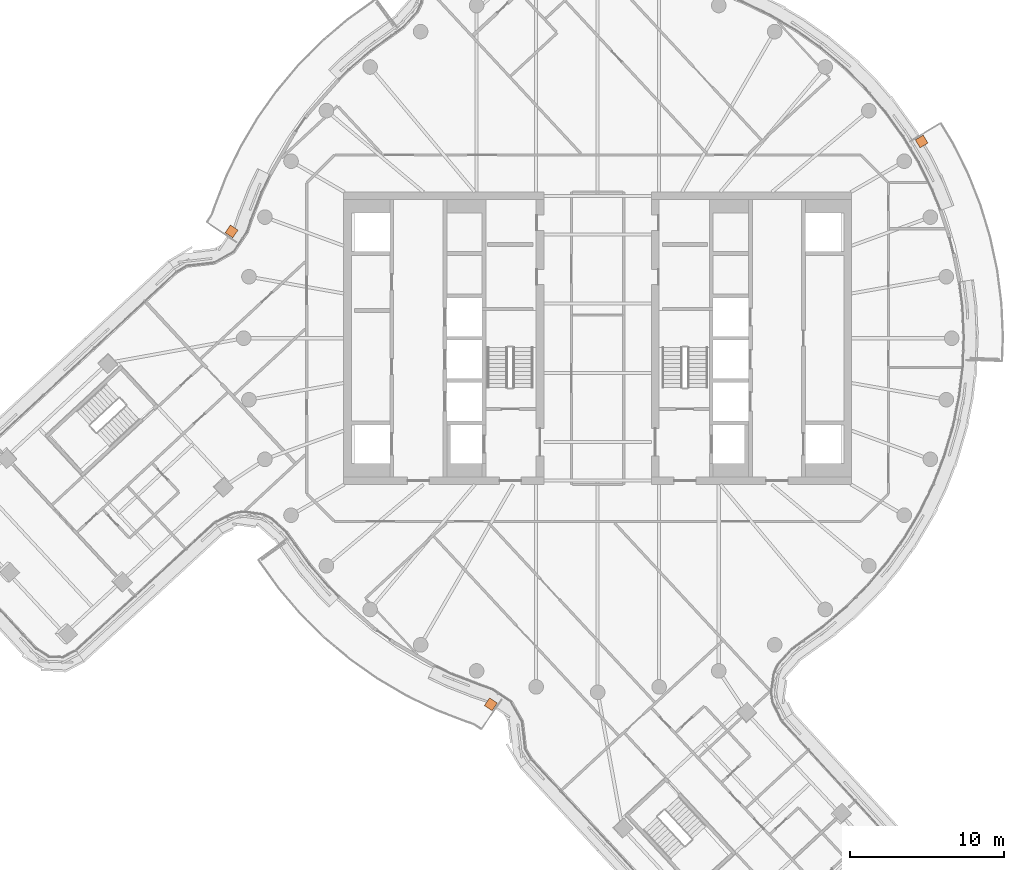
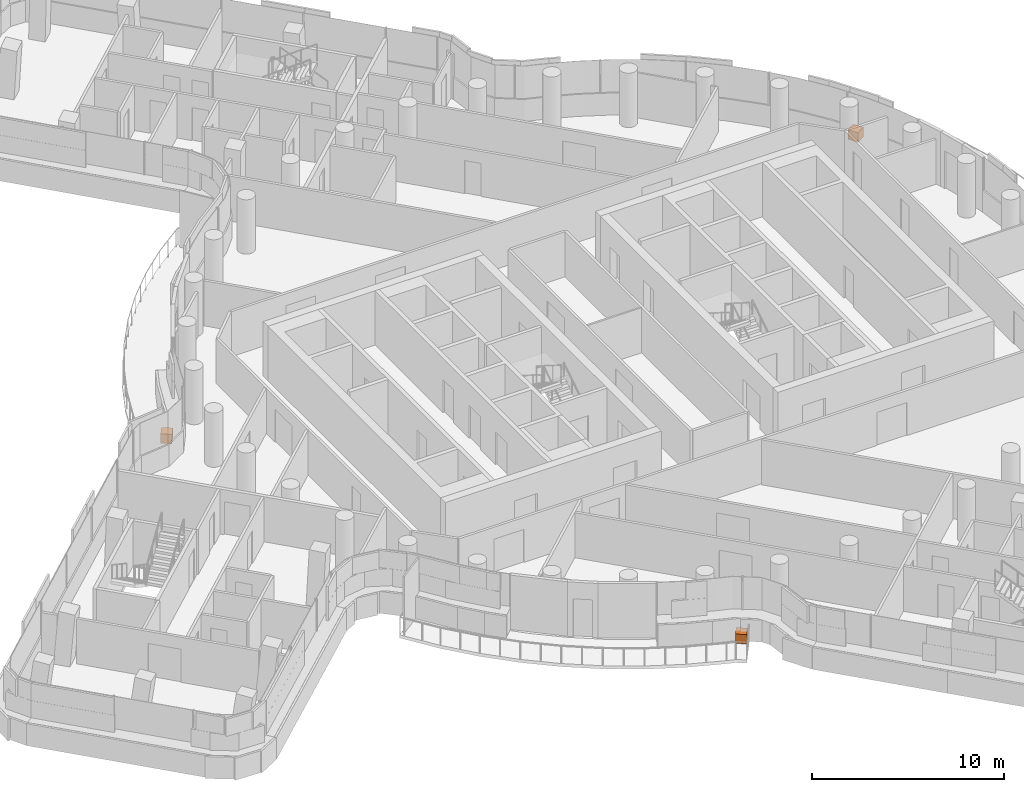
# One storey, part 34 of 34: 3 proxies.
"""IFC4 building model written with IfcOpenShell, lengths in metres."""

from ifc_helpers import new_model, si_unit, direction, frame, origin, origin_2d, place, context, subcontext, project, spatial, rectangle, extrude, material, type_object, element, save


model = new_model("IFC4")

# Units and contexts
model_context = context("Model", 3, precision=1e-05, world=origin(), true_north=direction((0.0, 1.0)))
body_context = subcontext(model_context, "Body", "Model", "MODEL_VIEW")
ifc_project = project(units=[si_unit("LENGTHUNIT", "METRE"), si_unit("AREAUNIT", "SQUARE_METRE"), si_unit("VOLUMEUNIT", "CUBIC_METRE"), si_unit("PLANEANGLEUNIT", "RADIAN"), si_unit("MASSUNIT", "GRAM", prefix="KILO")], contexts=[model_context])

# Site, building, storey
site_placement = place(None, origin())
site = spatial("IfcSite", under=ifc_project, at=site_placement, CompositionType="ELEMENT")
building_placement = place(site_placement, origin())
building = spatial("IfcBuilding", under=site, at=building_placement, Name="Tamarind Cross Interchange Tower", CompositionType="ELEMENT")
storey_placement = place(building_placement, frame((0.0, 0.0, 189.699951171875)))
storey = spatial("IfcBuildingStorey", under=building, at=storey_placement, Name="L47", CompositionType="ELEMENT", Elevation=189.699951171875)

# Proxies
ifc_material = material(Name="Concrete C30", Category="concrete")
building_element_proxy_type = type_object("IfcBuildingElementProxyType", Name="Planter", PredefinedType="USERDEFINED", material=ifc_material)
proxy_1_placement = place(storey_placement, origin())
element("IfcBuildingElementProxy", 1, at=proxy_1_placement, inside=storey, type_object=building_element_proxy_type, Name="PLT-L47-BAL02", ObjectType="Planter", PredefinedType="USERDEFINED", context=body_context, shape_type="SweptSolid", body=[
    extrude(rectangle(XDim=0.60009765625, YDim=0.60009765625, at=origin_2d()), frame((21.048095703125, 12.782958984375, 0.0), z_axis=(0.0, 0.0, 1.0), x_axis=(-0.515577308909, 0.856843065292, 0.0)), (0.0, 0.0, 1.0), 0.60009765625),
])
proxy_2_placement = place(storey_placement, origin())
element("IfcBuildingElementProxy", 2, at=proxy_2_placement, inside=storey, type_object=building_element_proxy_type, Name="PLT-L47-BAL06", ObjectType="Planter", PredefinedType="USERDEFINED", context=body_context, shape_type="SweptSolid", body=[
    extrude(rectangle(XDim=0.60009765625, YDim=0.60009765625, at=origin_2d()), frame((-23.78369140625, 6.935546875, 0.0), z_axis=(0.0, 0.0, 1.0), x_axis=(-0.556323551983, -0.830965766749, 0.0)), (0.0, 0.0, 1.0), 0.60009765625),
])
proxy_3_placement = place(storey_placement, origin())
element("IfcBuildingElementProxy", 3, at=proxy_3_placement, inside=storey, type_object=building_element_proxy_type, Name="PLT-L47-BAL10", ObjectType="Planter", PredefinedType="USERDEFINED", context=body_context, shape_type="SweptSolid", body=[
    extrude(rectangle(XDim=0.60009765625, YDim=0.60009765625, at=origin_2d()), frame((-6.935546875, -23.78369140625, 0.0), z_axis=(0.0, 0.0, 1.0), x_axis=(0.830965766749, -0.556323551983, 0.0)), (0.0, 0.0, 1.0), 0.60009765625),
])

save(model, "model.ifc")
